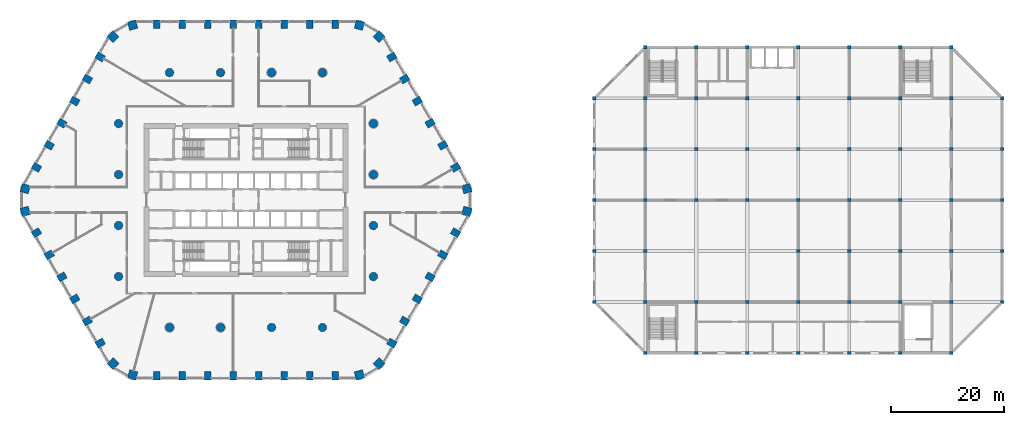
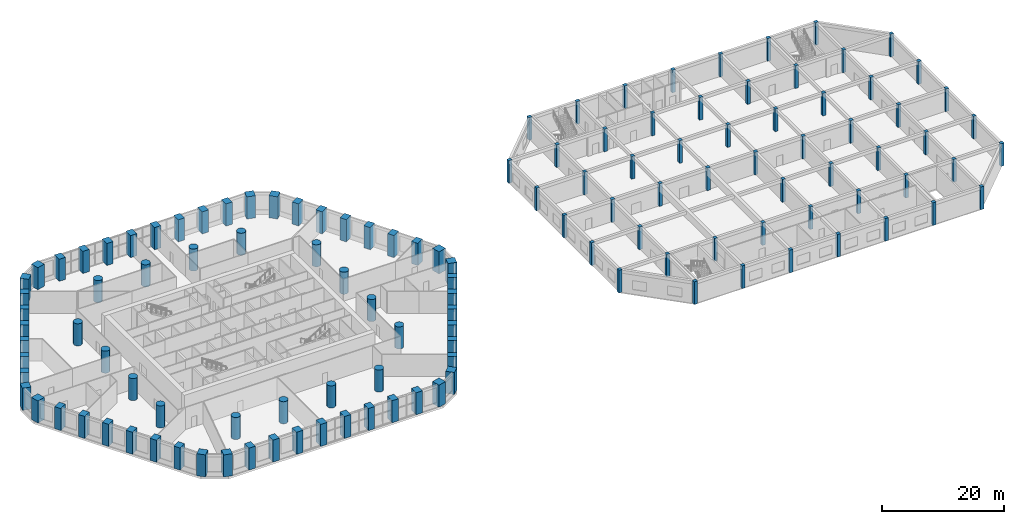
# One storey, part 1 of 26: 125 columns.
"""IFC4 building model written with IfcOpenShell, lengths in metres."""

import ifcopenshell
import ifcopenshell.guid

model = None  # the IFC model being written
_history = None  # IfcOwnerHistory: only IFC2X3 demands one
_inside = {}  # id of a spatial element -> (the spatial element, [elements in it])
_under = {}  # id of a project, library or spatial element -> (it, [spatial elements below it])
_declared = {}  # id of a project -> (the project, [libraries it declares])
_typed = {}  # id of a type object -> (the type object, [elements of that type])
_made_of = {}  # id of a material, layer set ... -> (it, [elements and type objects made of it])


def new_model(schema):
    """Start an empty IFC model of exactly this schema.

    Asked for "IFC4X3", IfcOpenShell would pick the latest addendum, in which some entities
    have other attributes; the version numbers below select the first issue.
    IFC2X3 requires an IfcOwnerHistory on every rooted entity: one is made here for all.
    """
    global model, _history
    if schema == "IFC4X3":
        model = ifcopenshell.file(schema_version=(4, 3, 0, 0))
    else:
        model = ifcopenshell.file(schema=schema)
    _inside.clear()
    _under.clear()
    _declared.clear()
    _typed.clear()
    _made_of.clear()
    _history = None
    if model.schema == "IFC2X3":
        org = make("IfcOrganization", Name="unknown")
        user = make(
            "IfcPersonAndOrganization",
            ThePerson=make("IfcPerson", FamilyName="unknown"),
            TheOrganization=org,
        )
        app = make(
            "IfcApplication",
            ApplicationDeveloper=org,
            Version="unknown",
            ApplicationFullName="unknown",
            ApplicationIdentifier="unknown",
        )
        _history = make(
            "IfcOwnerHistory",
            OwningUser=user,
            OwningApplication=app,
            ChangeAction="ADDED",
            CreationDate=0,
        )
    return model


def make(cls, **values):
    """One entity of the class cls with the attributes given. An attribute that is None is left unset."""
    return model.create_entity(
        cls, **{name: value for name, value in values.items() if value is not None}
    )


def rooted(cls, **values):
    """An entity with a GlobalId (a new one), such as an element, a storey or a relation."""
    return make(cls, GlobalId=ifcopenshell.guid.new(), OwnerHistory=_history, **values)


def si_unit(unit_type, name, prefix=None):
    """IfcSIUnit, for example si_unit("LENGTHUNIT", "METRE", prefix="MILLI")."""
    return make("IfcSIUnit", UnitType=unit_type, Prefix=prefix, Name=name)


def assignment(units):
    """IfcUnitAssignment: the units of a project."""
    return None if units is None else make("IfcUnitAssignment", Units=units)


def point(xyz):
    """IfcCartesianPoint."""
    return None if xyz is None else make("IfcCartesianPoint", Coordinates=xyz)


def direction(xyz):
    """IfcDirection."""
    return None if xyz is None else make("IfcDirection", DirectionRatios=xyz)


def frame(location, z_axis=None, x_axis=None):
    """IfcAxis2Placement3D, a coordinate frame: its origin and axes. An axis left out is left unset."""
    return make(
        "IfcAxis2Placement3D",
        Location=point(location),
        Axis=direction(z_axis),
        RefDirection=direction(x_axis),
    )


def frame_2d(location, x_axis=None):
    """IfcAxis2Placement2D, a coordinate frame in the plane: its origin and x axis."""
    return make(
        "IfcAxis2Placement2D", Location=point(location), RefDirection=direction(x_axis)
    )


def origin():
    """The frame at (0, 0, 0) with its axes left unset."""
    return frame((0.0, 0.0, 0.0))


def origin_2d():
    """The frame at (0, 0) in the plane with its x axis left unset."""
    return frame_2d((0.0, 0.0))


def place(relative_to, where):
    """IfcLocalPlacement: puts the frame where relative to a parent placement (None: the world)."""
    return make(
        "IfcLocalPlacement", PlacementRelTo=relative_to, RelativePlacement=where
    )


def context(
    kind, dimensions, precision=None, world=None, true_north=None, identifier=None
):
    """IfcGeometricRepresentationContext, for example the 3D "Model" context."""
    return make(
        "IfcGeometricRepresentationContext",
        ContextIdentifier=identifier,
        ContextType=kind,
        CoordinateSpaceDimension=dimensions,
        Precision=precision,
        WorldCoordinateSystem=world,
        TrueNorth=true_north,
    )


def subcontext(parent, identifier, kind, view, scale=None):
    """IfcGeometricRepresentationSubContext, for example "Body" below "Model"."""
    return make(
        "IfcGeometricRepresentationSubContext",
        ContextIdentifier=identifier,
        ContextType=kind,
        ParentContext=parent,
        TargetScale=scale,
        TargetView=view,
    )


def project(units=None, contexts=None):
    """IfcProject with its units and contexts."""
    return rooted(
        "IfcProject",
        Name="project",
        RepresentationContexts=contexts,
        UnitsInContext=assignment(units),
    )


def spatial(cls, under=None, at=None, **own):
    """A site, building, storey or space (cls), placed at a placement, below another one or the project."""
    s = rooted(cls, ObjectPlacement=at, **own)
    if under is not None:
        _under.setdefault(under.id(), (under, []))[1].append(s)
    return s


def profile(cls, at=None, kind="AREA", **sizes):
    """A parametric profile (cls). Its sizes go by their IFC names, for example OverallWidth=200.0."""
    return make(cls, ProfileType=kind, Position=at, **sizes)


def rectangle(**sizes):
    """IfcRectangleProfileDef."""
    return profile("IfcRectangleProfileDef", **sizes)


def circle(**sizes):
    """IfcCircleProfileDef."""
    return profile("IfcCircleProfileDef", **sizes)


def extrude(swept, where, along, depth):
    """IfcExtrudedAreaSolid: the profile swept, set in the frame where, extruded along a direction by depth."""
    return make(
        "IfcExtrudedAreaSolid",
        SweptArea=swept,
        Position=where,
        ExtrudedDirection=direction(along),
        Depth=depth,
    )


def shape(context_of_items, identifier, shape_type, items):
    """IfcShapeRepresentation: the items that make up one representation, for example the "Body"."""
    return make(
        "IfcShapeRepresentation",
        ContextOfItems=context_of_items,
        RepresentationIdentifier=identifier,
        RepresentationType=shape_type,
        Items=items,
    )


def material(Name=None, Category=None):
    """IfcMaterial."""
    return make("IfcMaterial", Name=Name, Category=Category)


def material_profile(
    of_material, cross_section, Name=None, Category=None, Priority=None
):
    """IfcMaterialProfile: a cross section and its material."""
    return make(
        "IfcMaterialProfile",
        Name=Name,
        Material=of_material,
        Profile=cross_section,
        Priority=Priority,
        Category=Category,
    )


def profile_set(profiles, Name=None, composite=None):
    """IfcMaterialProfileSet."""
    return make(
        "IfcMaterialProfileSet",
        Name=Name,
        MaterialProfiles=profiles,
        CompositeProfile=composite,
    )


def made_of(thing, what):
    """Note that an element or type object is made of a material, layer set ...; save() writes the relation."""
    if what is not None:
        _made_of.setdefault(what.id(), (what, []))[1].append(thing)
    return thing


def type_object(cls, material=None, **own):
    """A type object (cls), such as IfcWallType, which elements share."""
    return made_of(rooted(cls, **own), material)


def element(
    cls,
    number,
    at=None,
    inside=None,
    cuts=None,
    type_object=None,
    material=None,
    context=None,
    identifier="Body",
    shape_type=None,
    held_by="IfcProductDefinitionShape",
    body=None,
    shapes=None,
    **own,
):
    """One element of the class cls, such as IfcWall. Its Tag is "e" and its number.

    at: its placement. inside: the storey or other place that contains it. cuts: it is an
    opening in that element (IfcRelVoidsElement). A single representation is given by context,
    identifier, shape_type and body (its items); several are given by shapes. held_by: the class
    of the entity that holds the representations. save() writes the other relations.
    """
    e = rooted(cls, Tag="e%d" % number, ObjectPlacement=at, **own)
    if body is not None:
        shapes = [shape(context, identifier, shape_type, body)]
    if shapes is not None:
        e.Representation = make(held_by, Representations=shapes)
    if inside is not None:
        _inside.setdefault(inside.id(), (inside, []))[1].append(e)
    if cuts is not None:
        rooted(
            "IfcRelVoidsElement", RelatingBuildingElement=cuts, RelatedOpeningElement=e
        )
    if type_object is not None:
        _typed.setdefault(type_object.id(), (type_object, []))[1].append(e)
    return made_of(e, material)


def aggregate(whole, parts):
    """IfcRelAggregates: a whole, such as a stair, and the parts it consists of."""
    return rooted("IfcRelAggregates", RelatingObject=whole, RelatedObjects=parts)


def save(model, path):
    """Write the relations noted so far, then the file.

    IfcRelAggregates (storeys below a building ...), IfcRelContainedInSpatialStructure (elements
    in a storey), IfcRelDefinesByType, IfcRelAssociatesMaterial and IfcRelDeclares: one each for
    every whole, place, type object, material and project.
    """
    for whole, parts in _under.values():
        aggregate(whole, parts)
    for where, things in _inside.values():
        rooted(
            "IfcRelContainedInSpatialStructure",
            RelatedElements=things,
            RelatingStructure=where,
        )
    for kind, things in _typed.values():
        rooted("IfcRelDefinesByType", RelatedObjects=things, RelatingType=kind)
    for what, things in _made_of.values():
        rooted("IfcRelAssociatesMaterial", RelatedObjects=things, RelatingMaterial=what)
    for by, libraries in _declared.values():
        rooted("IfcRelDeclares", RelatingContext=by, RelatedDefinitions=libraries)
    model.write(path)


model = new_model("IFC4")

# Units and contexts
model_context = context("Model", 3, precision=1e-05, world=origin(), true_north=direction((0.0, 1.0)))
body_context = subcontext(model_context, "Body", "Model", "MODEL_VIEW")
ifc_project = project(units=[si_unit("LENGTHUNIT", "METRE"), si_unit("AREAUNIT", "SQUARE_METRE"), si_unit("VOLUMEUNIT", "CUBIC_METRE"), si_unit("PLANEANGLEUNIT", "RADIAN"), si_unit("MASSUNIT", "GRAM", prefix="KILO")], contexts=[model_context])

# Site, building, storey
site_placement = place(None, origin())
site = spatial("IfcSite", under=ifc_project, at=site_placement, CompositionType="ELEMENT")
building_placement = place(site_placement, origin())
building = spatial("IfcBuilding", under=site, at=building_placement, Name="Dhurran Vertical Campus", CompositionType="ELEMENT")
storey_placement = place(building_placement, frame((0.0, 0.0, 15.60009765625)))
storey = spatial("IfcBuildingStorey", under=building, at=storey_placement, Name="L03", CompositionType="ELEMENT", Elevation=15.60009765625)

# Columns
ifc_material_1 = material(Name="Concrete C70/85", Category="concrete")
ifc_material_profile_1 = material_profile(ifc_material_1, rectangle(XDim=1.199951171875, YDim=1.5, at=origin_2d()), Name="RC 1200x1500")
ifc_profile_set_1 = profile_set([ifc_material_profile_1], Name="Concrete C70/85")
column_type_1 = type_object("IfcColumnType", Name="FR COL RC 1200x1500 C70/85", PredefinedType="COLUMN", material=ifc_profile_set_1)
for number, where, z_axis, x_axis, name in (
    (1, (-15.75, -31.02978515625, 0.0), (0.0, 0.0, 1.0), (1.0, 0.0, 0.0), "Perimeter pier PP0.01"),
    (2, (-11.25, -31.02978515625, 0.0), (0.0, 0.0, 1.0), (1.0, 0.0, 0.0), "Perimeter pier PP0.02"),
    (3, (-6.75, -31.02978515625, 0.0), (0.0, 0.0, 1.0), (1.0, 0.0, 0.0), "Perimeter pier PP0.03"),
    (4, (-2.25, -31.02978515625, 0.0), (0.0, 0.0, 1.0), (1.0, 0.0, 0.0), "Perimeter pier PP0.04"),
    (5, (2.25, -31.02978515625, 0.0), (0.0, 0.0, 1.0), (1.0, 0.0, 0.0), "Perimeter pier PP0.05"),
    (6, (6.75, -31.02978515625, 0.0), (0.0, 0.0, 1.0), (1.0, 0.0, 0.0), "Perimeter pier PP0.06"),
    (7, (11.25, -31.02978515625, 0.0), (0.0, 0.0, 1.0), (1.0, 0.0, 0.0), "Perimeter pier PP0.07"),
    (8, (15.75, -31.02978515625, 0.0), (0.0, 0.0, 1.0), (1.0, 0.0, 0.0), "Perimeter pier PP0.08"),
    (9, (25.74755859375, -25.2578125, 0.0), (0.0, 0.0, 1.0), (0.5, 0.866025403784, 0.0), "Perimeter pier PP0.11"),
    (10, (27.99755859375, -21.360595703125, 0.0), (0.0, 0.0, 1.0), (0.5, 0.866025403784, 0.0), "Perimeter pier PP0.12"),
    (11, (30.24755859375, -17.46337890625, 0.0), (0.0, 0.0, 1.0), (0.5, 0.866025403784, 0.0), "Perimeter pier PP0.13"),
    (12, (32.49755859375, -13.56640625, 0.0), (0.0, 0.0, 1.0), (0.5, 0.866025403784, 0.0), "Perimeter pier PP0.14"),
    (13, (34.74755859375, -9.669189453125, 0.0), (0.0, 0.0, 1.0), (0.5, 0.866025403784, 0.0), "Perimeter pier PP0.15"),
    (14, (36.99755859375, -5.772216796875, 0.0), (0.0, 0.0, 1.0), (0.5, 0.866025403784, 0.0), "Perimeter pier PP0.16"),
    (15, (36.99755859375, 5.772216796875, 0.0), (0.0, 0.0, 1.0), (-0.5, 0.866025403784, 0.0), "Perimeter pier PP0.19"),
    (16, (34.74755859375, 9.669189453125, 0.0), (0.0, 0.0, 1.0), (-0.5, 0.866025403784, 0.0), "Perimeter pier PP0.20"),
    (17, (32.49755859375, 13.56640625, 0.0), (0.0, 0.0, 1.0), (-0.5, 0.866025403784, 0.0), "Perimeter pier PP0.21"),
    (18, (30.24755859375, 17.46337890625, 0.0), (0.0, 0.0, 1.0), (-0.5, 0.866025403784, 0.0), "Perimeter pier PP0.22"),
    (19, (27.99755859375, 21.360595703125, 0.0), (0.0, 0.0, 1.0), (-0.5, 0.866025403784, 0.0), "Perimeter pier PP0.23"),
    (20, (25.74755859375, 25.2578125, 0.0), (0.0, 0.0, 1.0), (-0.5, 0.866025403784, 0.0), "Perimeter pier PP0.24"),
    (21, (15.75, 31.02978515625, 0.0), (0.0, 0.0, 1.0), (-1.0, 0.0, 0.0), "Perimeter pier PP0.27"),
    (22, (11.25, 31.02978515625, 0.0), (0.0, 0.0, 1.0), (-1.0, 0.0, 0.0), "Perimeter pier PP0.28"),
    (23, (6.75, 31.02978515625, 0.0), (0.0, 0.0, 1.0), (-1.0, 0.0, 0.0), "Perimeter pier PP0.29"),
    (24, (2.25, 31.02978515625, 0.0), (0.0, 0.0, 1.0), (-1.0, 0.0, 0.0), "Perimeter pier PP0.30"),
    (25, (-2.25, 31.02978515625, 0.0), (0.0, 0.0, 1.0), (-1.0, 0.0, 0.0), "Perimeter pier PP0.31"),
    (26, (-6.75, 31.02978515625, 0.0), (0.0, 0.0, 1.0), (-1.0, 0.0, 0.0), "Perimeter pier PP0.32"),
    (27, (-11.25, 31.02978515625, 0.0), (0.0, 0.0, 1.0), (-1.0, 0.0, 0.0), "Perimeter pier PP0.33"),
    (28, (-15.75, 31.02978515625, 0.0), (0.0, 0.0, 1.0), (-1.0, 0.0, 0.0), "Perimeter pier PP0.34"),
    (29, (-25.74755859375, 25.2578125, 0.0), (0.0, 0.0, 1.0), (-0.5, -0.866025403784, 0.0), "Perimeter pier PP0.37"),
    (30, (-27.99755859375, 21.360595703125, 0.0), (0.0, 0.0, 1.0), (-0.5, -0.866025403784, 0.0), "Perimeter pier PP0.38"),
    (31, (-30.24755859375, 17.46337890625, 0.0), (0.0, 0.0, 1.0), (-0.5, -0.866025403784, 0.0), "Perimeter pier PP0.39"),
    (32, (-32.49755859375, 13.56640625, 0.0), (0.0, 0.0, 1.0), (-0.5, -0.866025403784, 0.0), "Perimeter pier PP0.40"),
    (33, (-34.74755859375, 9.669189453125, 0.0), (0.0, 0.0, 1.0), (-0.5, -0.866025403784, 0.0), "Perimeter pier PP0.41"),
    (34, (-36.99755859375, 5.772216796875, 0.0), (0.0, 0.0, 1.0), (-0.5, -0.866025403784, 0.0), "Perimeter pier PP0.42"),
    (35, (-36.99755859375, -5.772216796875, 0.0), (0.0, 0.0, 1.0), (0.5, -0.866025403784, 0.0), "Perimeter pier PP0.45"),
    (36, (-34.74755859375, -9.669189453125, 0.0), (0.0, 0.0, 1.0), (0.5, -0.866025403784, 0.0), "Perimeter pier PP0.46"),
    (37, (-32.49755859375, -13.56640625, 0.0), (0.0, 0.0, 1.0), (0.5, -0.866025403784, 0.0), "Perimeter pier PP0.47"),
    (38, (-30.24755859375, -17.46337890625, 0.0), (0.0, 0.0, 1.0), (0.5, -0.866025403784, 0.0), "Perimeter pier PP0.48"),
    (39, (-27.99755859375, -21.360595703125, 0.0), (0.0, 0.0, 1.0), (0.5, -0.866025403784, 0.0), "Perimeter pier PP0.49"),
    (40, (-25.74755859375, -25.2578125, 0.0), (0.0, 0.0, 1.0), (0.5, -0.866025403784, 0.0), "Perimeter pier PP0.50"),
):
    element("IfcColumn", number, at=place(storey_placement, frame(where, z_axis=z_axis, x_axis=x_axis)), inside=storey, type_object=column_type_1, Name=name, PredefinedType="COLUMN", context=body_context, shape_type="SweptSolid", body=[
        extrude(rectangle(XDim=1.199951171875, YDim=1.5, at=origin_2d()), origin(), (0.0, 0.0, 1.0), 4.39990234375),
    ])
ifc_material_2 = material(Name="Concrete C70/85", Category="concrete")
ifc_material_profile_2 = material_profile(ifc_material_2, rectangle(XDim=1.5, YDim=1.5, at=origin_2d()), Name="RC 1500x1500")
ifc_profile_set_2 = profile_set([ifc_material_profile_2], Name="Concrete C70/85")
column_type_2 = type_object("IfcColumnType", Name="FR COL RC 1500x1500 C70/85", PredefinedType="COLUMN", material=ifc_profile_set_2)
for number, where, z_axis, x_axis, name in (
    (41, (-20.00390625, -30.861083984375, 0.0), (0.0, 0.0, 1.0), (0.965925826289, -0.258819045103, 0.0), "Perimeter pier PP0.00"),
    (42, (20.00390625, -30.861083984375, 0.0), (0.0, 0.0, 1.0), (0.965925826289, 0.258819045103, 0.0), "Perimeter pier PP0.09"),
    (43, (23.474609375, -28.857421875, 0.0), (0.0, 0.0, 1.0), (0.707106781187, 0.707106781187, 0.0), "Perimeter pier PP0.10"),
    (44, (38.978515625, -2.00390625, 0.0), (0.0, 0.0, 1.0), (0.258819045103, 0.965925826289, 0.0), "Perimeter pier PP0.17"),
    (45, (38.978515625, 2.00390625, 0.0), (0.0, 0.0, 1.0), (-0.258819045103, 0.965925826289, 0.0), "Perimeter pier PP0.18"),
    (46, (23.474609375, 28.857421875, 0.0), (0.0, 0.0, 1.0), (-0.707106781187, 0.707106781187, 0.0), "Perimeter pier PP0.25"),
    (47, (20.00390625, 30.861083984375, 0.0), (0.0, 0.0, 1.0), (-0.965925826289, 0.258819045103, 0.0), "Perimeter pier PP0.26"),
    (48, (-20.00390625, 30.861083984375, 0.0), (0.0, 0.0, 1.0), (-0.965925826289, -0.258819045103, 0.0), "Perimeter pier PP0.35"),
    (49, (-23.474609375, 28.857421875, 0.0), (0.0, 0.0, 1.0), (-0.707106781187, -0.707106781187, 0.0), "Perimeter pier PP0.36"),
    (50, (-38.978515625, 2.00390625, 0.0), (0.0, 0.0, 1.0), (-0.258819045103, -0.965925826289, 0.0), "Perimeter pier PP0.43"),
    (51, (-38.978515625, -2.00390625, 0.0), (0.0, 0.0, 1.0), (0.258819045103, -0.965925826289, 0.0), "Perimeter pier PP0.44"),
    (52, (-23.474609375, -28.857421875, 0.0), (0.0, 0.0, 1.0), (0.707106781187, -0.707106781187, 0.0), "Perimeter pier PP0.51"),
):
    element("IfcColumn", number, at=place(storey_placement, frame(where, z_axis=z_axis, x_axis=x_axis)), inside=storey, type_object=column_type_2, Name=name, PredefinedType="COLUMN", context=body_context, shape_type="SweptSolid", body=[
        extrude(rectangle(XDim=1.5, YDim=1.5, at=origin_2d()), origin(), (0.0, 0.0, 1.0), 4.39990234375),
    ])
ifc_material_3 = material(Name="Concrete C70/85", Category="concrete")
ifc_material_profile_3 = material_profile(ifc_material_3, circle(Radius=0.75, at=origin_2d()), Name="RCC D1500")
ifc_profile_set_3 = profile_set([ifc_material_profile_3], Name="Concrete C70/85")
column_type_3 = type_object("IfcColumnType", Name="FR COL RCC D1500 C70/85", PredefinedType="COLUMN", material=ifc_profile_set_3)
for number, where, z_axis, x_axis, name in (
    (53, (-22.5, -13.5, 0.0), (0.0, 0.0, 1.0), (1.0, 0.0, 0.0), "Inner column IC0-D4"),
    (54, (-22.5, -4.5, 0.0), (0.0, 0.0, 1.0), (1.0, 0.0, 0.0), "Inner column IC0-D5"),
    (55, (-22.5, 4.5, 0.0), (0.0, 0.0, 1.0), (1.0, 0.0, 0.0), "Inner column IC0-D6"),
    (56, (-22.5, 13.5, 0.0), (0.0, 0.0, 1.0), (1.0, 0.0, 0.0), "Inner column IC0-D7"),
    (57, (-13.5, -22.5, 0.0), (0.0, 0.0, 1.0), (1.0, 0.0, 0.0), "Inner column IC0-E3"),
    (58, (-13.5, 22.5, 0.0), (0.0, 0.0, 1.0), (1.0, 0.0, 0.0), "Inner column IC0-E8"),
    (59, (-4.5, -22.5, 0.0), (0.0, 0.0, 1.0), (1.0, 0.0, 0.0), "Inner column IC0-F3"),
    (60, (-4.5, 22.5, 0.0), (0.0, 0.0, 1.0), (1.0, 0.0, 0.0), "Inner column IC0-F8"),
    (61, (4.5, -22.5, 0.0), (0.0, 0.0, 1.0), (1.0, 0.0, 0.0), "Inner column IC0-G3"),
    (62, (4.5, 22.5, 0.0), (0.0, 0.0, 1.0), (1.0, 0.0, 0.0), "Inner column IC0-G8"),
    (63, (13.5, -22.5, 0.0), (0.0, 0.0, 1.0), (1.0, 0.0, 0.0), "Inner column IC0-H3"),
    (64, (13.5, 22.5, 0.0), (0.0, 0.0, 1.0), (1.0, 0.0, 0.0), "Inner column IC0-H8"),
    (65, (22.5, -13.5, 0.0), (0.0, 0.0, 1.0), (1.0, 0.0, 0.0), "Inner column IC0-J4"),
    (66, (22.5, -4.5, 0.0), (0.0, 0.0, 1.0), (1.0, 0.0, 0.0), "Inner column IC0-J5"),
    (67, (22.5, 4.5, 0.0), (0.0, 0.0, 1.0), (1.0, 0.0, 0.0), "Inner column IC0-J6"),
    (68, (22.5, 13.5, 0.0), (0.0, 0.0, 1.0), (1.0, 0.0, 0.0), "Inner column IC0-J7"),
):
    element("IfcColumn", number, at=place(storey_placement, frame(where, z_axis=z_axis, x_axis=x_axis)), inside=storey, type_object=column_type_3, Name=name, PredefinedType="COLUMN", context=body_context, shape_type="SweptSolid", body=[
        extrude(circle(Radius=0.75, at=origin_2d()), origin(), (0.0, 0.0, 1.0), 4.39990234375),
    ])
ifc_material_4 = material(Name="Concrete C45/55", Category="concrete")
ifc_material_profile_4 = material_profile(ifc_material_4, rectangle(XDim=0.60009765625, YDim=0.60009765625, at=origin_2d()), Name="hl-column 600x600 C45/55")
ifc_profile_set_4 = profile_set([ifc_material_profile_4], Name="Concrete C45/55")
column_type_4 = type_object("IfcColumnType", Name="hl-column 600x600 C45/55", PredefinedType="COLUMN", material=ifc_profile_set_4)
for number, where, z_axis, x_axis, name in (
    (69, (70.5, -27.0, 0.0), (0.0, 0.0, 1.0), (1.0, 0.0, 0.0), "Hall column HB1 L03"),
    (70, (79.5, -27.0, 0.0), (0.0, 0.0, 1.0), (1.0, 0.0, 0.0), "Hall column HC1 L03"),
    (71, (88.5, -27.0, 0.0), (0.0, 0.0, 1.0), (1.0, 0.0, 0.0), "Hall column HD1 L03"),
    (72, (97.5, -27.0, 0.0), (0.0, 0.0, 1.0), (1.0, 0.0, 0.0), "Hall column HE1 L03"),
    (73, (106.5, -27.0, 0.0), (0.0, 0.0, 1.0), (1.0, 0.0, 0.0), "Hall column HF1 L03"),
    (74, (115.5, -27.0, 0.0), (0.0, 0.0, 1.0), (1.0, 0.0, 0.0), "Hall column HG1 L03"),
    (75, (124.5, -27.0, 0.0), (0.0, 0.0, 1.0), (1.0, 0.0, 0.0), "Hall column HH1 L03"),
    (76, (61.5, -18.0, 0.0), (0.0, 0.0, 1.0), (1.0, 0.0, 0.0), "Hall column HA2 L03"),
    (77, (70.5, -18.0, 0.0), (0.0, 0.0, 1.0), (1.0, 0.0, 0.0), "Hall column HB2 L03"),
    (78, (79.5, -18.0, 0.0), (0.0, 0.0, 1.0), (1.0, 0.0, 0.0), "Hall column HC2 L03"),
    (79, (88.5, -18.0, 0.0), (0.0, 0.0, 1.0), (1.0, 0.0, 0.0), "Hall column HD2 L03"),
    (80, (97.5, -18.0, 0.0), (0.0, 0.0, 1.0), (1.0, 0.0, 0.0), "Hall column HE2 L03"),
    (81, (106.5, -18.0, 0.0), (0.0, 0.0, 1.0), (1.0, 0.0, 0.0), "Hall column HF2 L03"),
    (82, (115.5, -18.0, 0.0), (0.0, 0.0, 1.0), (1.0, 0.0, 0.0), "Hall column HG2 L03"),
    (83, (124.5, -18.0, 0.0), (0.0, 0.0, 1.0), (1.0, 0.0, 0.0), "Hall column HH2 L03"),
    (84, (133.5, -18.0, 0.0), (0.0, 0.0, 1.0), (1.0, 0.0, 0.0), "Hall column HJ2 L03"),
    (85, (61.5, -9.0, 0.0), (0.0, 0.0, 1.0), (1.0, 0.0, 0.0), "Hall column HA3 L03"),
    (86, (70.5, -9.0, 0.0), (0.0, 0.0, 1.0), (1.0, 0.0, 0.0), "Hall column HB3 L03"),
    (87, (97.5, -9.0, 0.0), (0.0, 0.0, 1.0), (1.0, 0.0, 0.0), "Hall column HE3 L03"),
    (88, (106.5, -9.0, 0.0), (0.0, 0.0, 1.0), (1.0, 0.0, 0.0), "Hall column HF3 L03"),
    (89, (115.5, -9.0, 0.0), (0.0, 0.0, 1.0), (1.0, 0.0, 0.0), "Hall column HG3 L03"),
    (90, (124.5, -9.0, 0.0), (0.0, 0.0, 1.0), (1.0, 0.0, 0.0), "Hall column HH3 L03"),
    (91, (133.5, -9.0, 0.0), (0.0, 0.0, 1.0), (1.0, 0.0, 0.0), "Hall column HJ3 L03"),
    (92, (61.5, 0.0, 0.0), (0.0, 0.0, 1.0), (1.0, 0.0, 0.0), "Hall column HA4 L03"),
    (93, (70.5, 0.0, 0.0), (0.0, 0.0, 1.0), (1.0, 0.0, 0.0), "Hall column HB4 L03"),
    (94, (79.5, 0.0, 0.0), (0.0, 0.0, 1.0), (1.0, 0.0, 0.0), "Hall column HC4 L03"),
    (95, (88.5, 0.0, 0.0), (0.0, 0.0, 1.0), (1.0, 0.0, 0.0), "Hall column HD4 L03"),
    (96, (97.5, 0.0, 0.0), (0.0, 0.0, 1.0), (1.0, 0.0, 0.0), "Hall column HE4 L03"),
    (97, (106.5, 0.0, 0.0), (0.0, 0.0, 1.0), (1.0, 0.0, 0.0), "Hall column HF4 L03"),
    (98, (115.5, 0.0, 0.0), (0.0, 0.0, 1.0), (1.0, 0.0, 0.0), "Hall column HG4 L03"),
    (99, (124.5, 0.0, 0.0), (0.0, 0.0, 1.0), (1.0, 0.0, 0.0), "Hall column HH4 L03"),
    (100, (133.5, 0.0, 0.0), (0.0, 0.0, 1.0), (1.0, 0.0, 0.0), "Hall column HJ4 L03"),
    (101, (61.5, 9.0, 0.0), (0.0, 0.0, 1.0), (1.0, 0.0, 0.0), "Hall column HA5 L03"),
    (102, (70.5, 9.0, 0.0), (0.0, 0.0, 1.0), (1.0, 0.0, 0.0), "Hall column HB5 L03"),
    (103, (79.5, 9.0, 0.0), (0.0, 0.0, 1.0), (1.0, 0.0, 0.0), "Hall column HC5 L03"),
    (104, (88.5, 9.0, 0.0), (0.0, 0.0, 1.0), (1.0, 0.0, 0.0), "Hall column HD5 L03"),
    (105, (97.5, 9.0, 0.0), (0.0, 0.0, 1.0), (1.0, 0.0, 0.0), "Hall column HE5 L03"),
    (106, (106.5, 9.0, 0.0), (0.0, 0.0, 1.0), (1.0, 0.0, 0.0), "Hall column HF5 L03"),
    (107, (115.5, 9.0, 0.0), (0.0, 0.0, 1.0), (1.0, 0.0, 0.0), "Hall column HG5 L03"),
    (108, (124.5, 9.0, 0.0), (0.0, 0.0, 1.0), (1.0, 0.0, 0.0), "Hall column HH5 L03"),
    (109, (133.5, 9.0, 0.0), (0.0, 0.0, 1.0), (1.0, 0.0, 0.0), "Hall column HJ5 L03"),
    (110, (61.5, 18.0, 0.0), (0.0, 0.0, 1.0), (1.0, 0.0, 0.0), "Hall column HA6 L03"),
    (111, (70.5, 18.0, 0.0), (0.0, 0.0, 1.0), (1.0, 0.0, 0.0), "Hall column HB6 L03"),
    (112, (79.5, 18.0, 0.0), (0.0, 0.0, 1.0), (1.0, 0.0, 0.0), "Hall column HC6 L03"),
    (113, (88.5, 18.0, 0.0), (0.0, 0.0, 1.0), (1.0, 0.0, 0.0), "Hall column HD6 L03"),
    (114, (97.5, 18.0, 0.0), (0.0, 0.0, 1.0), (1.0, 0.0, 0.0), "Hall column HE6 L03"),
    (115, (106.5, 18.0, 0.0), (0.0, 0.0, 1.0), (1.0, 0.0, 0.0), "Hall column HF6 L03"),
    (116, (115.5, 18.0, 0.0), (0.0, 0.0, 1.0), (1.0, 0.0, 0.0), "Hall column HG6 L03"),
    (117, (124.5, 18.0, 0.0), (0.0, 0.0, 1.0), (1.0, 0.0, 0.0), "Hall column HH6 L03"),
    (118, (133.5, 18.0, 0.0), (0.0, 0.0, 1.0), (1.0, 0.0, 0.0), "Hall column HJ6 L03"),
    (119, (70.5, 27.0, 0.0), (0.0, 0.0, 1.0), (1.0, 0.0, 0.0), "Hall column HB7 L03"),
    (120, (79.5, 27.0, 0.0), (0.0, 0.0, 1.0), (1.0, 0.0, 0.0), "Hall column HC7 L03"),
    (121, (88.5, 27.0, 0.0), (0.0, 0.0, 1.0), (1.0, 0.0, 0.0), "Hall column HD7 L03"),
    (122, (97.5, 27.0, 0.0), (0.0, 0.0, 1.0), (1.0, 0.0, 0.0), "Hall column HE7 L03"),
    (123, (106.5, 27.0, 0.0), (0.0, 0.0, 1.0), (1.0, 0.0, 0.0), "Hall column HF7 L03"),
    (124, (115.5, 27.0, 0.0), (0.0, 0.0, 1.0), (1.0, 0.0, 0.0), "Hall column HG7 L03"),
    (125, (124.5, 27.0, 0.0), (0.0, 0.0, 1.0), (1.0, 0.0, 0.0), "Hall column HH7 L03"),
):
    element("IfcColumn", number, at=place(storey_placement, frame(where, z_axis=z_axis, x_axis=x_axis)), inside=storey, type_object=column_type_4, Name=name, PredefinedType="COLUMN", context=body_context, shape_type="SweptSolid", body=[
        extrude(rectangle(XDim=0.60009765625, YDim=0.60009765625, at=origin_2d()), origin(), (0.0, 0.0, 1.0), 4.52001953125),
    ])

save(model, "model.ifc")
